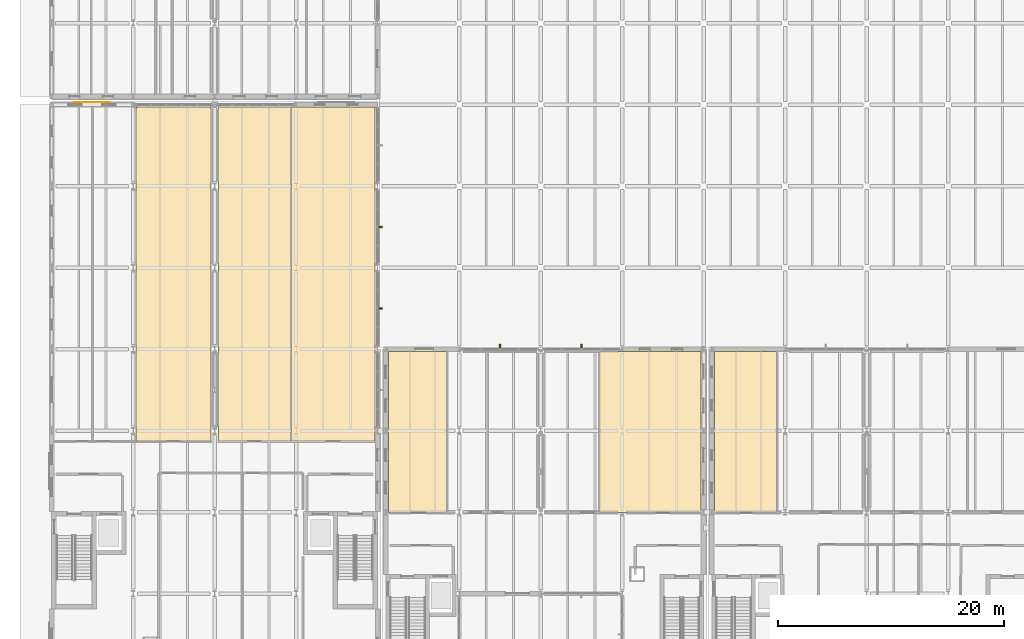
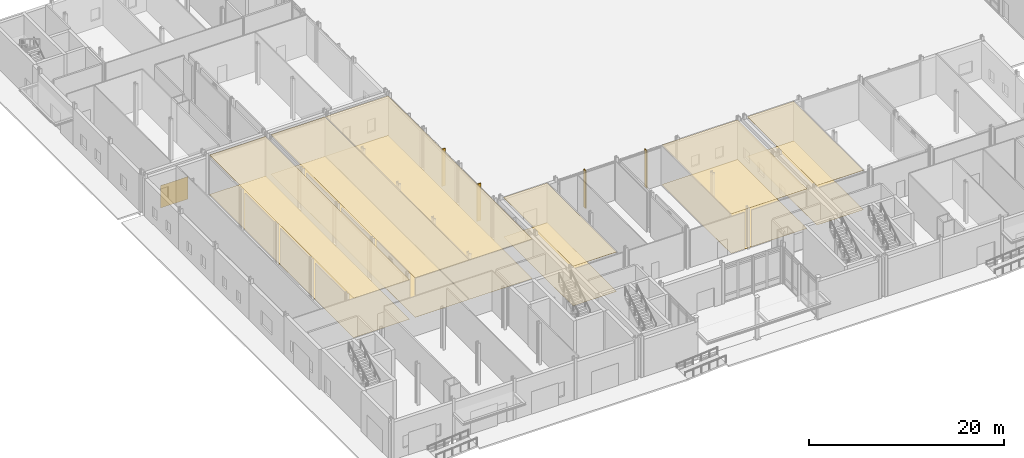
# One storey, part 77 of 89: 13 coverings, 4 shading devices.
"""IFC4 building model written with IfcOpenShell, lengths in metres."""

from ifc_helpers import new_model, si_unit, direction, frame, origin, origin_2d, place, context, subcontext, project, spatial, polyline, rectangle, outline, extrude, material, layer, layer_set, type_object, element, save


model = new_model("IFC4")

# Units and contexts
model_context = context("Model", 3, precision=1e-05, world=origin(), true_north=direction((0.0, 1.0)))
body_context = subcontext(model_context, "Body", "Model", "MODEL_VIEW")
ifc_project = project(units=[si_unit("LENGTHUNIT", "METRE"), si_unit("AREAUNIT", "SQUARE_METRE"), si_unit("VOLUMEUNIT", "CUBIC_METRE"), si_unit("PLANEANGLEUNIT", "RADIAN"), si_unit("MASSUNIT", "GRAM", prefix="KILO")], contexts=[model_context])

# Site, building, storey
site_placement = place(None, origin())
site = spatial("IfcSite", under=ifc_project, at=site_placement, CompositionType="ELEMENT")
building_placement = place(site_placement, origin())
building = spatial("IfcBuilding", under=site, at=building_placement, Name="Zarrinpeak Specialist Clinic", CompositionType="ELEMENT")
storey_placement = place(building_placement, origin())
storey = spatial("IfcBuildingStorey", under=building, at=storey_placement, Name="L00", CompositionType="ELEMENT", Elevation=0.0)

# Coverings
ifc_material_1 = material(Name="Hygienic Acoustic Mineral Fibre Tile")
ifc_layer_1 = layer(ifc_material_1, 0.02490234375)
ifc_layer_set_1 = layer_set([ifc_layer_1], Name="Hygienic Acoustic Mineral Fibre Tile")
covering_type_1 = type_object("IfcCoveringType", Name="CV-CEIL-AC", PredefinedType="CEILING", material=ifc_layer_set_1)
covering_1_placement = place(storey_placement, frame((0.0, 0.0, 4.9150390625)))
element("IfcCovering", 1, at=covering_1_placement, inside=storey, type_object=covering_type_1, Name="L00 Main Outpatient Triage Reception Hygienic Acoustic Ceiling", PredefinedType="CEILING", context=body_context, shape_type="SweptSolid", body=[
    extrude(outline(polyline([(14.719970703125, 20.669921875), (21.1298828125, 20.669921875), (21.1298828125, 50.179931640625), (14.719970703125, 50.179931640625), (14.719970703125, 20.669921875)])), origin(), (0.0, 0.0, 1.0), 0.02490234375),
])
covering_2_placement = place(storey_placement, frame((0.0, 0.0, 4.9150390625)))
element("IfcCovering", 2, at=covering_2_placement, inside=storey, type_object=covering_type_1, Name="L00 Cardiology ECG Diagnostic Suite Hygienic Acoustic Ceiling", PredefinedType="CEILING", context=body_context, shape_type="SweptSolid", body=[
    extrude(outline(polyline([(7.469970703125, 20.669921875), (14.080078125, 20.669921875), (14.080078125, 50.179931640625), (7.469970703125, 50.179931640625), (7.469970703125, 20.669921875)])), origin(), (0.0, 0.0, 1.0), 0.02490234375),
])
covering_3_placement = place(storey_placement, frame((0.0, 0.0, 4.9150390625)))
element("IfcCovering", 3, at=covering_3_placement, inside=storey, type_object=covering_type_1, Name="L00 Phlebotomy Specimen Collection Hygienic Acoustic Ceiling", PredefinedType="CEILING", context=body_context, shape_type="SweptSolid", body=[
    extrude(outline(polyline([(21.169921875, 20.669921875), (28.580078125, 20.669921875), (28.580078125, 50.179931640625), (21.169921875, 50.179931640625), (21.169921875, 20.669921875)])), origin(), (0.0, 0.0, 1.0), 0.02490234375),
])
covering_4_placement = place(storey_placement, frame((0.0, 0.0, 4.9150390625)))
element("IfcCovering", 4, at=covering_4_placement, inside=storey, type_object=covering_type_1, Name="L00 Central Atrium Concierge Hall Hygienic Acoustic Ceiling", PredefinedType="CEILING", context=body_context, shape_type="SweptSolid", body=[
    extrude(outline(polyline([(29.739990234375, 14.3701171875), (34.89990234375, 14.3701171875), (34.89990234375, 28.580078125), (29.739990234375, 28.580078125), (29.739990234375, 14.3701171875)])), origin(), (0.0, 0.0, 1.0), 0.02490234375),
])
covering_5_placement = place(storey_placement, frame((0.0, 0.0, 4.9150390625)))
element("IfcCovering", 5, at=covering_5_placement, inside=storey, type_object=covering_type_1, Name="L00 Outpatient Dispensing Pharmacy Hygienic Acoustic Ceiling", PredefinedType="CEILING", context=body_context, shape_type="SweptSolid", body=[
    extrude(outline(polyline([(48.419921875, 14.3701171875), (57.3798828125, 14.3701171875), (57.3798828125, 28.580078125), (48.419921875, 28.580078125), (48.419921875, 14.3701171875)])), origin(), (0.0, 0.0, 1.0), 0.02490234375),
])
covering_6_placement = place(storey_placement, frame((0.0, 0.0, 4.9150390625)))
element("IfcCovering", 6, at=covering_6_placement, inside=storey, type_object=covering_type_1, Name="L00 Discharge Lounge Hygienic Acoustic Ceiling", PredefinedType="CEILING", context=body_context, shape_type="SweptSolid", body=[
    extrude(outline(polyline([(58.5400390625, 14.3701171875), (64.050048828125, 14.3701171875), (64.050048828125, 28.580078125), (58.5400390625, 28.580078125), (58.5400390625, 14.3701171875)])), origin(), (0.0, 0.0, 1.0), 0.02490234375),
])
ifc_material_2 = material(Name="Glulam GL28h", Category="wood")
ifc_layer_2 = layer(ifc_material_2, 0.034912109375)
ifc_layer_set_2 = layer_set([ifc_layer_2], Name="Glulam GL28h")
covering_type_2 = type_object("IfcCoveringType", Name="CV-CLD-GL", PredefinedType="CLADDING", material=ifc_layer_set_2)
covering_7_placement = place(storey_placement, frame((3.550048828125, 50.615478515625, -0.01025390625), z_axis=(0.0, 0.0, 1.0), x_axis=(1.0, 0.0, 0.0)))
element("IfcCovering", 7, at=covering_7_placement, inside=storey, type_object=covering_type_2, Name="L00 V1 Courtyard Cedar-Glulam Cladding Panel CV-CLD-05", PredefinedType="CLADDING", context=body_context, shape_type="SweptSolid", body=[
    extrude(rectangle(XDim=3.199951171875, YDim=0.034912109375, at=origin_2d()), origin(), (0.0, 0.0, 1.0), 2.800048828125),
])
ifc_material_3 = material(Name="Homogeneous Antimicrobial Clinical Vinyl")
ifc_layer_3 = layer(ifc_material_3, 0.008056640625)
ifc_layer_set_3 = layer_set([ifc_layer_3], Name="Homogeneous Antimicrobial Clinical Vinyl")
covering_type_3 = type_object("IfcCoveringType", Name="CV-FLR-VN", PredefinedType="FLOORING", material=ifc_layer_set_3)
covering_8_placement = place(storey_placement, frame((0.0, 0.0, 0.0009765625)))
element("IfcCovering", 8, at=covering_8_placement, inside=storey, type_object=covering_type_3, Name="L00 Main Outpatient Triage Reception Antimicrobial Vinyl Flooring", PredefinedType="FLOORING", context=body_context, shape_type="SweptSolid", body=[
    extrude(outline(polyline([(14.719970703125, 20.669921875), (21.1298828125, 20.669921875), (21.1298828125, 50.179931640625), (14.719970703125, 50.179931640625), (14.719970703125, 20.669921875)])), origin(), (0.0, 0.0, 1.0), 0.008056640625),
])
covering_9_placement = place(storey_placement, frame((0.0, 0.0, 0.0009765625)))
element("IfcCovering", 9, at=covering_9_placement, inside=storey, type_object=covering_type_3, Name="L00 Cardiology ECG Diagnostic Suite Antimicrobial Vinyl Flooring", PredefinedType="FLOORING", context=body_context, shape_type="SweptSolid", body=[
    extrude(outline(polyline([(7.469970703125, 20.669921875), (14.080078125, 20.669921875), (14.080078125, 50.179931640625), (7.469970703125, 50.179931640625), (7.469970703125, 20.669921875)])), origin(), (0.0, 0.0, 1.0), 0.008056640625),
])
covering_10_placement = place(storey_placement, frame((0.0, 0.0, 0.0009765625)))
element("IfcCovering", 10, at=covering_10_placement, inside=storey, type_object=covering_type_3, Name="L00 Phlebotomy Specimen Collection Antimicrobial Vinyl Flooring", PredefinedType="FLOORING", context=body_context, shape_type="SweptSolid", body=[
    extrude(outline(polyline([(21.169921875, 20.669921875), (28.580078125, 20.669921875), (28.580078125, 50.179931640625), (21.169921875, 50.179931640625), (21.169921875, 20.669921875)])), origin(), (0.0, 0.0, 1.0), 0.008056640625),
])
covering_11_placement = place(storey_placement, frame((0.0, 0.0, 0.0009765625)))
element("IfcCovering", 11, at=covering_11_placement, inside=storey, type_object=covering_type_3, Name="L00 Central Atrium Concierge Hall Antimicrobial Vinyl Flooring", PredefinedType="FLOORING", context=body_context, shape_type="SweptSolid", body=[
    extrude(outline(polyline([(29.739990234375, 14.3701171875), (34.89990234375, 14.3701171875), (34.89990234375, 28.580078125), (29.739990234375, 28.580078125), (29.739990234375, 14.3701171875)])), origin(), (0.0, 0.0, 1.0), 0.008056640625),
])
covering_12_placement = place(storey_placement, frame((0.0, 0.0, 0.0009765625)))
element("IfcCovering", 12, at=covering_12_placement, inside=storey, type_object=covering_type_3, Name="L00 Outpatient Dispensing Pharmacy Antimicrobial Vinyl Flooring", PredefinedType="FLOORING", context=body_context, shape_type="SweptSolid", body=[
    extrude(outline(polyline([(48.419921875, 14.3701171875), (57.3798828125, 14.3701171875), (57.3798828125, 28.580078125), (48.419921875, 28.580078125), (48.419921875, 14.3701171875)])), origin(), (0.0, 0.0, 1.0), 0.008056640625),
])
covering_13_placement = place(storey_placement, frame((0.0, 0.0, 0.0009765625)))
element("IfcCovering", 13, at=covering_13_placement, inside=storey, type_object=covering_type_3, Name="L00 Discharge Lounge Antimicrobial Vinyl Flooring", PredefinedType="FLOORING", context=body_context, shape_type="SweptSolid", body=[
    extrude(outline(polyline([(58.5400390625, 14.3701171875), (64.050048828125, 14.3701171875), (64.050048828125, 28.580078125), (58.5400390625, 28.580078125), (58.5400390625, 14.3701171875)])), origin(), (0.0, 0.0, 1.0), 0.008056640625),
])

# Shading devices
shading_device_type = type_object("IfcShadingDeviceType", Name="SHD-FIN-GL", PredefinedType="USERDEFINED", material=ifc_material_2)
for number, where, z_axis, x_axis, name in (
    (14, (29.0, 32.39990234375, -0.014892578125), (0.0, 0.0, 1.0), (1.0, 0.0, 0.0), "L00 V1 Cedar-Glulam Courtyard Fin FIN-002"),
    (15, (29.0, 39.60009765625, -0.014892578125), (0.0, 0.0, 1.0), (1.0, 0.0, 0.0), "L00 V1 Cedar-Glulam Courtyard Fin FIN-003"),
):
    element("IfcShadingDevice", number, at=place(storey_placement, frame(where, z_axis=z_axis, x_axis=x_axis)), inside=storey, type_object=shading_device_type, Name=name, ObjectType="SUNSHADE", PredefinedType="USERDEFINED", context=body_context, shape_type="SweptSolid", body=[
        extrude(rectangle(XDim=0.449951171875, YDim=0.110107421875, at=origin_2d()), origin(), (0.0, 0.0, 1.0), 4.625),
    ])
for number, where, z_axis, x_axis, name in (
    (16, (39.60009765625, 29.0, -0.01513671875), (0.0, 0.0, 1.0), (1.0, 0.0, 0.0), "L00 V2 Cedar-Glulam Courtyard Fin FIN-028"),
    (17, (46.800048828125, 29.0, -0.01513671875), (0.0, 0.0, 1.0), (1.0, 0.0, 0.0), "L00 V2 Cedar-Glulam Courtyard Fin FIN-029"),
):
    element("IfcShadingDevice", number, at=place(storey_placement, frame(where, z_axis=z_axis, x_axis=x_axis)), inside=storey, type_object=shading_device_type, Name=name, ObjectType="SUNSHADE", PredefinedType="USERDEFINED", context=body_context, shape_type="SweptSolid", body=[
        extrude(rectangle(XDim=0.110107421875, YDim=0.449951171875, at=origin_2d()), origin(), (0.0, 0.0, 1.0), 4.695068359375),
    ])

save(model, "model.ifc")
